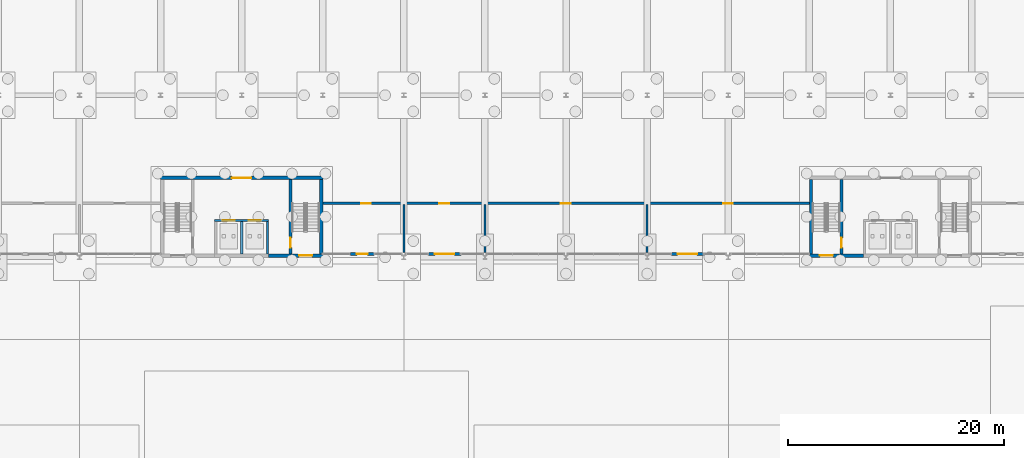
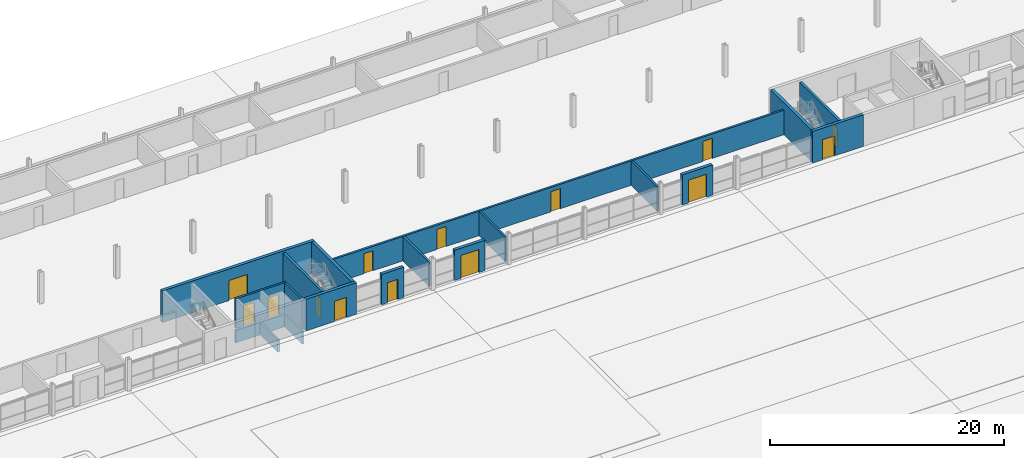
# One storey, part 85 of 130: 19 walls, 14 doors, 14 openings.
"""IFC4 building model written with IfcOpenShell, lengths in metres."""

from ifc_helpers import new_model, si_unit, direction, frame, frame_2d, origin, place, context, subcontext, project, spatial, rectangle, extrude, material, layer, layer_set, type_object, element, fill, save


model = new_model("IFC4")

# Units and contexts
model_context = context("Model", 3, precision=1e-05, world=origin(), true_north=direction((0.0, 1.0)))
body_context = subcontext(model_context, "Body", "Model", "MODEL_VIEW")
ifc_project = project(units=[si_unit("LENGTHUNIT", "METRE"), si_unit("AREAUNIT", "SQUARE_METRE"), si_unit("VOLUMEUNIT", "CUBIC_METRE"), si_unit("PLANEANGLEUNIT", "RADIAN"), si_unit("MASSUNIT", "GRAM", prefix="KILO")], contexts=[model_context])

# Site, building, storey
site_placement = place(None, origin())
site = spatial("IfcSite", under=ifc_project, at=site_placement, CompositionType="ELEMENT")
building_placement = place(site_placement, origin())
building = spatial("IfcBuilding", under=site, at=building_placement, Name="Parallax Yard Mobility Hub", CompositionType="ELEMENT")
storey_placement = place(building_placement, origin())
storey = spatial("IfcBuildingStorey", under=building, at=storey_placement, Name="L00", CompositionType="ELEMENT", Elevation=0.0)

# Wall, opening, door
ifc_material_1 = material(Name="Concrete fc' 35 MPa", Category="concrete")
ifc_layer_1 = layer(ifc_material_1, 0.300048828125)
ifc_layer_set_1 = layer_set([ifc_layer_1], Name="Concrete fc' 35 MPa core wall 300")
wall_type_1 = type_object("IfcWallType", Name="Concrete fc' 35 MPa core wall 300", PredefinedType="SHEAR", material=ifc_layer_set_1)
wall_1_placement = place(storey_placement, frame((67.5, 119.85009765625, 0.0), z_axis=(0.0, 0.0, 1.0), x_axis=(1.0, 0.0, 0.0)))
wall_1 = element("IfcWall", 1, at=wall_1_placement, inside=storey, type_object=wall_type_1, Name="Core C-N1 entry wall level L00", PredefinedType="SHEAR", context=body_context, shape_type="SweptSolid", body=[
    extrude(rectangle(XDim=15.0, YDim=0.300048828125, at=frame_2d((7.5, 0.0))), origin(), (0.0, 0.0, 1.0), 3.300048828125),
])
opening_1_placement = place(wall_1_placement, frame((6.60009765625, 0.0, 0.0)))
opening_1 = element("IfcOpeningElement", 2, at=opening_1_placement, cuts=wall_1, Name="Opening L00-D711", PredefinedType="OPENING", context=body_context, shape_type="SweptSolid", body=[
    extrude(rectangle(XDim=1.800048828125, YDim=2.10009765625, at=frame_2d((0.89990234375, 1.050048828125))), frame((0.0, 0.16015625, 0.0), z_axis=(0.0, -1.0, 0.0), x_axis=(1.0, 0.0, 0.0)), (0.0, 0.0, 1.0), 0.320068359375),
])
ifc_material_2 = material(Name="Hollow metal steel door and frame", Category="steel")
door_type_1 = type_object("IfcDoorType", Name="Core double door 1800 x 2100 FD90", OperationType="NOTDEFINED", PredefinedType="DOOR", material=ifc_material_2)
door_1_placement = place(opening_1_placement, origin())
door_1 = element("IfcDoor", 3, at=door_1_placement, inside=storey, type_object=door_type_1, Name="Lift lobby door L00-D711, core C-N1 level L00", OperationType="DOUBLE_DOOR_SINGLE_SWING", OverallHeight=2.10009765625, OverallWidth=1.800048828125, PredefinedType="DOOR", context=body_context, shape_type="SweptSolid", body=[
    extrude(rectangle(XDim=1.800048828125, YDim=2.10009765625, at=frame_2d((0.89990234375, 1.050048828125))), frame((0.0, 0.02490234375, 0.0), z_axis=(0.0, -1.0, 0.0), x_axis=(1.0, 0.0, 0.0)), (0.0, 0.0, 1.0), 0.050048828125),
])
fill(opening_1, door_1)

wall_2_placement = place(storey_placement, frame((82.5, 112.64990234375, 0.0), z_axis=(0.0, 0.0, 1.0), x_axis=(-1.0, 0.0, 0.0)))
wall_2 = element("IfcWall", 4, at=wall_2_placement, inside=storey, type_object=wall_type_1, Name="Core C-N1 back wall part 1 level L00", PredefinedType="SHEAR", context=body_context, shape_type="SweptSolid", body=[
    extrude(rectangle(XDim=5.0, YDim=0.300048828125, at=frame_2d((2.5, 0.0))), origin(), (0.0, 0.0, 1.0), 3.300048828125),
])
opening_2_placement = place(wall_2_placement, frame((0.97509765625, 0.0, 0.0)))
opening_2 = element("IfcOpeningElement", 5, at=opening_2_placement, cuts=wall_2, Name="Opening L00-D716", PredefinedType="OPENING", context=body_context, shape_type="SweptSolid", body=[
    extrude(rectangle(XDim=1.199951171875, YDim=2.10009765625, at=frame_2d((0.60009765625, 1.050048828125))), frame((0.0, 0.16015625, 0.0), z_axis=(0.0, -1.0, 0.0), x_axis=(1.0, 0.0, 0.0)), (0.0, 0.0, 1.0), 0.320068359375),
])
door_type_2 = type_object("IfcDoorType", Name="Core door 1200 x 2100 FD90", OperationType="NOTDEFINED", PredefinedType="DOOR", material=ifc_material_2)
door_2_placement = place(opening_2_placement, origin())
door_2 = element("IfcDoor", 6, at=door_2_placement, inside=storey, type_object=door_type_2, Name="Stair exit door L00-D716, core C-N1 level L00", OperationType="SINGLE_SWING_LEFT", OverallHeight=2.10009765625, OverallWidth=1.199951171875, PredefinedType="DOOR", context=body_context, shape_type="SweptSolid", body=[
    extrude(rectangle(XDim=1.199951171875, YDim=2.10009765625, at=frame_2d((0.60009765625, 1.050048828125))), frame((0.0, 0.02490234375, 0.0), z_axis=(0.0, -1.0, 0.0), x_axis=(1.0, 0.0, 0.0)), (0.0, 0.0, 1.0), 0.050048828125),
])
fill(opening_2, door_2)

# Wall
wall_3_placement = place(storey_placement, frame((82.35009765625, 119.699951171875, 0.0), z_axis=(0.0, 0.0, 1.0), x_axis=(0.0, -1.0, 0.0)))
element("IfcWall", 7, at=wall_3_placement, inside=storey, type_object=wall_type_1, Name="Core C-N1 west-side end wall level L00", PredefinedType="SHEAR", context=body_context, shape_type="SweptSolid", body=[
    extrude(rectangle(XDim=6.89990234375, YDim=0.300048828125, at=frame_2d((3.449951171875, 0.0))), origin(), (0.0, 0.0, 1.0), 3.300048828125),
])

# Wall, opening, door
wall_4_placement = place(storey_placement, frame((132.5, 112.64990234375, 0.0), z_axis=(0.0, 0.0, 1.0), x_axis=(-1.0, 0.0, 0.0)))
wall_4 = element("IfcWall", 8, at=wall_4_placement, inside=storey, type_object=wall_type_1, Name="Core C-N2 back wall part 3 level L00", PredefinedType="SHEAR", context=body_context, shape_type="SweptSolid", body=[
    extrude(rectangle(XDim=5.0, YDim=0.300048828125, at=frame_2d((2.5, 0.0))), origin(), (0.0, 0.0, 1.0), 3.300048828125),
])
opening_3_placement = place(wall_4_placement, frame((2.824951171875, 0.0, 0.0)))
opening_3 = element("IfcOpeningElement", 9, at=opening_3_placement, cuts=wall_4, Name="Opening L00-D724", PredefinedType="OPENING", context=body_context, shape_type="SweptSolid", body=[
    extrude(rectangle(XDim=1.199951171875, YDim=2.10009765625, at=frame_2d((0.60009765625, 1.050048828125))), frame((0.0, 0.16015625, 0.0), z_axis=(0.0, -1.0, 0.0), x_axis=(1.0, 0.0, 0.0)), (0.0, 0.0, 1.0), 0.320068359375),
])
door_3_placement = place(opening_3_placement, origin())
door_3 = element("IfcDoor", 10, at=door_3_placement, inside=storey, type_object=door_type_2, Name="Stair exit door L00-D724, core C-N2 level L00", OperationType="SINGLE_SWING_RIGHT", OverallHeight=2.10009765625, OverallWidth=1.199951171875, PredefinedType="DOOR", context=body_context, shape_type="SweptSolid", body=[
    extrude(rectangle(XDim=1.199951171875, YDim=2.10009765625, at=frame_2d((0.60009765625, 1.050048828125))), frame((0.0, 0.02490234375, 0.0), z_axis=(0.0, -1.0, 0.0), x_axis=(1.0, 0.0, 0.0)), (0.0, 0.0, 1.0), 0.050048828125),
])
fill(opening_3, door_3)

# Wall
wall_5_placement = place(storey_placement, frame((127.64990234375, 119.699951171875, 0.0), z_axis=(0.0, 0.0, 1.0), x_axis=(0.0, -1.0, 0.0)))
element("IfcWall", 11, at=wall_5_placement, inside=storey, type_object=wall_type_1, Name="Core C-N2 east-side end wall level L00", PredefinedType="SHEAR", context=body_context, shape_type="SweptSolid", body=[
    extrude(rectangle(XDim=6.89990234375, YDim=0.300048828125, at=frame_2d((3.449951171875, 0.0))), origin(), (0.0, 0.0, 1.0), 3.300048828125),
])

# Wall, openings, doors
ifc_layer_2 = layer(ifc_material_1, 0.199951171875)
ifc_layer_set_2 = layer_set([ifc_layer_2], Name="Concrete fc' 35 MPa internal core wall 200")
wall_type_2 = type_object("IfcWallType", Name="Concrete fc' 35 MPa internal core wall 200", PredefinedType="STANDARD", material=ifc_layer_set_2)
wall_6_placement = place(storey_placement, frame((77.5, 115.89990234375, 0.0), z_axis=(0.0, 0.0, 1.0), x_axis=(-1.0, 0.0, 0.0)))
wall_6 = element("IfcWall", 12, at=wall_6_placement, inside=storey, type_object=wall_type_2, Name="Core C-N1 lift front 2 part 2 level L00", PredefinedType="STANDARD", context=body_context, shape_type="SweptSolid", body=[
    extrude(rectangle(XDim=5.0, YDim=0.199951171875, at=frame_2d((2.5, 0.0))), origin(), (0.0, 0.0, 1.0), 3.10009765625),
])
opening_4_placement = place(wall_6_placement, frame((0.75, 0.0, 0.0)))
opening_4 = element("IfcOpeningElement", 13, at=opening_4_placement, cuts=wall_6, Name="Opening L00-D714", PredefinedType="OPENING", context=body_context, shape_type="SweptSolid", body=[
    extrude(rectangle(XDim=1.10009765625, YDim=2.10009765625, at=frame_2d((0.550048828125, 1.050048828125))), frame((0.0, 0.10986328125, 0.0), z_axis=(0.0, -1.0, 0.0), x_axis=(1.0, 0.0, 0.0)), (0.0, 0.0, 1.0), 0.219970703125),
])
opening_5_placement = place(wall_6_placement, frame((3.14990234375, 0.0, 0.0)))
opening_5 = element("IfcOpeningElement", 14, at=opening_5_placement, cuts=wall_6, Name="Opening L00-D715", PredefinedType="OPENING", context=body_context, shape_type="SweptSolid", body=[
    extrude(rectangle(XDim=1.10009765625, YDim=2.10009765625, at=frame_2d((0.550048828125, 1.050048828125))), frame((0.0, 0.10986328125, 0.0), z_axis=(0.0, -1.0, 0.0), x_axis=(1.0, 0.0, 0.0)), (0.0, 0.0, 1.0), 0.219970703125),
])
ifc_material_3 = material(Name="Stainless steel sliding door and frame", Category="steel")
door_type_3 = type_object("IfcDoorType", Name="Lift landing door 1100 x 2100 FD90", OperationType="DOUBLE_DOOR_SLIDING", PredefinedType="DOOR", material=ifc_material_3)
door_4_placement = place(opening_4_placement, origin())
door_4 = element("IfcDoor", 15, at=door_4_placement, inside=storey, type_object=door_type_3, Name="Lift landing door L00-D714, core C-N1 level L00", OperationType="DOUBLE_DOOR_SLIDING", OverallHeight=2.10009765625, OverallWidth=1.10009765625, PredefinedType="DOOR", context=body_context, shape_type="SweptSolid", body=[
    extrude(rectangle(XDim=1.10009765625, YDim=2.10009765625, at=frame_2d((0.550048828125, 1.050048828125))), frame((0.0, 0.02490234375, 0.0), z_axis=(0.0, -1.0, 0.0), x_axis=(1.0, 0.0, 0.0)), (0.0, 0.0, 1.0), 0.050048828125),
])
fill(opening_4, door_4)
door_5_placement = place(opening_5_placement, origin())
door_5 = element("IfcDoor", 16, at=door_5_placement, inside=storey, type_object=door_type_3, Name="Lift landing door L00-D715, core C-N1 level L00", OperationType="DOUBLE_DOOR_SLIDING", OverallHeight=2.10009765625, OverallWidth=1.10009765625, PredefinedType="DOOR", context=body_context, shape_type="SweptSolid", body=[
    extrude(rectangle(XDim=1.10009765625, YDim=2.10009765625, at=frame_2d((0.550048828125, 1.050048828125))), frame((0.0, 0.02490234375, 0.0), z_axis=(0.0, -1.0, 0.0), x_axis=(1.0, 0.0, 0.0)), (0.0, 0.0, 1.0), 0.050048828125),
])
fill(opening_5, door_5)

# Walls
wall_7_placement = place(storey_placement, frame((77.39990234375, 115.800048828125, 0.0), z_axis=(0.0, 0.0, 1.0), x_axis=(0.0, -1.0, 0.0)))
element("IfcWall", 17, at=wall_7_placement, inside=storey, type_object=wall_type_2, Name="Core C-N1 lift wall 1 part 1 level L00", PredefinedType="STANDARD", context=body_context, shape_type="SweptSolid", body=[
    extrude(rectangle(XDim=3.0, YDim=0.199951171875, at=frame_2d((1.5, 0.0))), origin(), (0.0, 0.0, 1.0), 3.10009765625),
])
wall_8_placement = place(storey_placement, frame((77.5, 115.89990234375, -1.5), z_axis=(0.0, 0.0, 1.0), x_axis=(-1.0, 0.0, 0.0)))
element("IfcWall", 18, at=wall_8_placement, inside=storey, type_object=wall_type_2, Name="Core C-N1 lift pit wall front (shaft group 1)", PredefinedType="STANDARD", context=body_context, shape_type="SweptSolid", body=[
    extrude(rectangle(XDim=5.0, YDim=0.199951171875, at=frame_2d((2.5, 0.0))), origin(), (0.0, 0.0, 1.0), 1.300048828125),
])
for number, where, z_axis, x_axis, name in (
    (19, (77.39990234375, 115.800048828125, -1.5), (0.0, 0.0, 1.0), (0.0, -1.0, 0.0), "Core C-N1 lift pit wall side 1 (shaft group 1)"),
    (20, (75.0, 115.800048828125, -1.5), (0.0, 0.0, 1.0), (0.0, -1.0, 0.0), "Core C-N1 lift pit wall side 2 (shaft group 1)"),
):
    element("IfcWall", number, at=place(storey_placement, frame(where, z_axis=z_axis, x_axis=x_axis)), inside=storey, type_object=wall_type_2, Name=name, PredefinedType="STANDARD", context=body_context, shape_type="SweptSolid", body=[
        extrude(rectangle(XDim=3.0, YDim=0.199951171875, at=frame_2d((1.5, 0.0))), origin(), (0.0, 0.0, 1.0), 1.300048828125),
    ])

# Wall, opening, door
ifc_layer_3 = layer(ifc_material_1, 0.25)
ifc_layer_set_3 = layer_set([ifc_layer_3], Name="Concrete fc' 35 MPa stair enclosure wall 250")
wall_type_3 = type_object("IfcWallType", Name="Concrete fc' 35 MPa stair enclosure wall 250", PredefinedType="STANDARD", material=ifc_layer_set_3)
wall_9_placement = place(storey_placement, frame((79.52490234375, 119.699951171875, 0.0), z_axis=(0.0, 0.0, 1.0), x_axis=(0.0, -1.0, 0.0)))
wall_9 = element("IfcWall", 21, at=wall_9_placement, inside=storey, type_object=wall_type_3, Name="Core C-N1 stair 1 partition level L00", PredefinedType="STANDARD", context=body_context, shape_type="SweptSolid", body=[
    extrude(rectangle(XDim=6.89990234375, YDim=0.25, at=frame_2d((3.449951171875, 0.0))), origin(), (0.0, 0.0, 1.0), 3.10009765625),
])
opening_6_placement = place(wall_9_placement, frame((5.39990234375, 0.0, 0.0)))
opening_6 = element("IfcOpeningElement", 22, at=opening_6_placement, cuts=wall_9, Name="Opening L00-D712", PredefinedType="OPENING", context=body_context, shape_type="SweptSolid", body=[
    extrude(rectangle(XDim=0.89990234375, YDim=2.10009765625, at=frame_2d((0.449951171875, 1.050048828125))), frame((0.0, 0.135009765625, 0.0), z_axis=(0.0, -1.0, 0.0), x_axis=(1.0, 0.0, 0.0)), (0.0, 0.0, 1.0), 0.27001953125),
])
door_type_4 = type_object("IfcDoorType", Name="Core door 900 x 2100 FD90", OperationType="NOTDEFINED", PredefinedType="DOOR", material=ifc_material_2)
door_6_placement = place(opening_6_placement, origin())
door_6 = element("IfcDoor", 23, at=door_6_placement, inside=storey, type_object=door_type_4, Name="Stair lobby door L00-D712, core C-N1 level L00", OperationType="SINGLE_SWING_LEFT", OverallHeight=2.10009765625, OverallWidth=0.89990234375, PredefinedType="DOOR", context=body_context, shape_type="SweptSolid", body=[
    extrude(rectangle(XDim=0.89990234375, YDim=2.10009765625, at=frame_2d((0.449951171875, 1.050048828125))), frame((0.0, 0.02490234375, 0.0), z_axis=(0.0, -1.0, 0.0), x_axis=(1.0, 0.0, 0.0)), (0.0, 0.0, 1.0), 0.050048828125),
])
fill(opening_6, door_6)

wall_10_placement = place(storey_placement, frame((130.47509765625, 112.800048828125, 0.0), z_axis=(0.0, 0.0, 1.0), x_axis=(0.0, 1.0, 0.0)))
wall_10 = element("IfcWall", 24, at=wall_10_placement, inside=storey, type_object=wall_type_3, Name="Core C-N2 stair 2 partition level L00", PredefinedType="STANDARD", context=body_context, shape_type="SweptSolid", body=[
    extrude(rectangle(XDim=6.89990234375, YDim=0.25, at=frame_2d((3.449951171875, 0.0))), origin(), (0.0, 0.0, 1.0), 3.10009765625),
])
opening_7_placement = place(wall_10_placement, frame((0.60009765625, 0.0, 0.0)))
opening_7 = element("IfcOpeningElement", 25, at=opening_7_placement, cuts=wall_10, Name="Opening L00-D720", PredefinedType="OPENING", context=body_context, shape_type="SweptSolid", body=[
    extrude(rectangle(XDim=0.89990234375, YDim=2.10009765625, at=frame_2d((0.449951171875, 1.050048828125))), frame((0.0, 0.135009765625, 0.0), z_axis=(0.0, -1.0, 0.0), x_axis=(1.0, 0.0, 0.0)), (0.0, 0.0, 1.0), 0.27001953125),
])
door_7_placement = place(opening_7_placement, origin())
door_7 = element("IfcDoor", 26, at=door_7_placement, inside=storey, type_object=door_type_4, Name="Stair lobby door L00-D720, core C-N2 level L00", OperationType="SINGLE_SWING_RIGHT", OverallHeight=2.10009765625, OverallWidth=0.89990234375, PredefinedType="DOOR", context=body_context, shape_type="SweptSolid", body=[
    extrude(rectangle(XDim=0.89990234375, YDim=2.10009765625, at=frame_2d((0.449951171875, 1.050048828125))), frame((0.0, 0.02490234375, 0.0), z_axis=(0.0, -1.0, 0.0), x_axis=(1.0, 0.0, 0.0)), (0.0, 0.0, 1.0), 0.050048828125),
])
fill(opening_7, door_7)

ifc_layer_4 = layer(ifc_material_1, 0.300048828125)
ifc_layer_set_4 = layer_set([ifc_layer_4], Name="Entrance portal wall, Concrete fc' 35 MPa precast, 300")
wall_type_4 = type_object("IfcWallType", Name="Entrance portal wall, Concrete fc' 35 MPa precast, 300", PredefinedType="SOLIDWALL", material=ifc_layer_set_4)
wall_11_placement = place(storey_placement, frame((85.053955078125, 112.800048828125, 0.0), z_axis=(0.0, 0.0, 1.0), x_axis=(1.0, 0.0, 0.0)))
wall_11 = element("IfcWall", 27, at=wall_11_placement, inside=storey, type_object=wall_type_4, Name="Staff entrance portal wall bay 7 level L00", PredefinedType="SOLIDWALL", context=body_context, shape_type="SweptSolid", body=[
    extrude(rectangle(XDim=2.199951171875, YDim=0.300048828125, at=frame_2d((1.10009765625, 0.0))), origin(), (0.0, 0.0, 1.0), 3.159912109375),
])
opening_8_placement = place(wall_11_placement, frame((0.60009765625, 0.0, 0.0)))
opening_8 = element("IfcOpeningElement", 28, at=opening_8_placement, cuts=wall_11, Name="Opening L00-D004", PredefinedType="OPENING", context=body_context, shape_type="SweptSolid", body=[
    extrude(rectangle(XDim=1.0, YDim=2.10009765625, at=frame_2d((0.5, 1.050048828125))), frame((0.0, 0.16015625, 0.0), z_axis=(0.0, -1.0, 0.0), x_axis=(1.0, 0.0, 0.0)), (0.0, 0.0, 1.0), 0.320068359375),
])
ifc_material_4 = material(Name="Aluminium framed glazed door", Category="aluminium")
door_type_5 = type_object("IfcDoorType", Name="Staff entrance door, single leaf 1000 x 2100", OperationType="NOTDEFINED", PredefinedType="DOOR", material=ifc_material_4)
door_8_placement = place(opening_8_placement, origin())
door_8 = element("IfcDoor", 29, at=door_8_placement, inside=storey, type_object=door_type_5, Name="Staff entrance door L00-D004", OperationType="SINGLE_SWING_RIGHT", OverallHeight=2.10009765625, OverallWidth=1.0, PredefinedType="DOOR", context=body_context, shape_type="SweptSolid", body=[
    extrude(rectangle(XDim=1.0, YDim=2.10009765625, at=frame_2d((0.5, 1.050048828125))), frame((0.0, 0.02490234375, 0.0), z_axis=(0.0, -1.0, 0.0), x_axis=(1.0, 0.0, 0.0)), (0.0, 0.0, 1.0), 0.050048828125),
])
fill(opening_8, door_8)

wall_12_placement = place(storey_placement, frame((92.271728515625, 112.800048828125, 0.0), z_axis=(0.0, 0.0, 1.0), x_axis=(1.0, 0.0, 0.0)))
wall_12 = element("IfcWall", 30, at=wall_12_placement, inside=storey, type_object=wall_type_4, Name="Entrance portal wall bay 8 level L00", PredefinedType="SOLIDWALL", context=body_context, shape_type="SweptSolid", body=[
    extrude(rectangle(XDim=3.0, YDim=0.300048828125, at=frame_2d((1.5, 0.0))), origin(), (0.0, 0.0, 1.0), 3.159912109375),
])
opening_9_placement = place(wall_12_placement, frame((0.60009765625, 0.0, 0.0)))
opening_9 = element("IfcOpeningElement", 31, at=opening_9_placement, cuts=wall_12, Name="Opening L00-D005", PredefinedType="OPENING", context=body_context, shape_type="SweptSolid", body=[
    extrude(rectangle(XDim=1.800048828125, YDim=2.39990234375, at=frame_2d((0.89990234375, 1.199951171875))), frame((0.0, 0.16015625, 0.0), z_axis=(0.0, -1.0, 0.0), x_axis=(1.0, 0.0, 0.0)), (0.0, 0.0, 1.0), 0.320068359375),
])
door_type_6 = type_object("IfcDoorType", Name="Entrance door, automatic sliding, double leaf 1800 x 2400", OperationType="DOUBLE_DOOR_SLIDING", PredefinedType="DOOR", material=ifc_material_4)
door_9_placement = place(opening_9_placement, origin())
door_9 = element("IfcDoor", 32, at=door_9_placement, inside=storey, type_object=door_type_6, Name="Entrance door L00-D005", OperationType="DOUBLE_DOOR_SLIDING", OverallHeight=2.39990234375, OverallWidth=1.800048828125, PredefinedType="DOOR", context=body_context, shape_type="SweptSolid", body=[
    extrude(rectangle(XDim=1.800048828125, YDim=2.39990234375, at=frame_2d((0.89990234375, 1.199951171875))), frame((0.0, 0.02490234375, 0.0), z_axis=(0.0, -1.0, 0.0), x_axis=(1.0, 0.0, 0.0)), (0.0, 0.0, 1.0), 0.050048828125),
])
fill(opening_9, door_9)

wall_13_placement = place(storey_placement, frame((114.728271484375, 112.800048828125, 0.0), z_axis=(0.0, 0.0, 1.0), x_axis=(1.0, 0.0, 0.0)))
wall_13 = element("IfcWall", 33, at=wall_13_placement, inside=storey, type_object=wall_type_4, Name="Entrance portal wall bay 11 level L00", PredefinedType="SOLIDWALL", context=body_context, shape_type="SweptSolid", body=[
    extrude(rectangle(XDim=3.0, YDim=0.300048828125, at=frame_2d((1.5, 0.0))), origin(), (0.0, 0.0, 1.0), 3.159912109375),
])
opening_10_placement = place(wall_13_placement, frame((0.60009765625, 0.0, 0.0)))
opening_10 = element("IfcOpeningElement", 34, at=opening_10_placement, cuts=wall_13, Name="Opening L00-D006", PredefinedType="OPENING", context=body_context, shape_type="SweptSolid", body=[
    extrude(rectangle(XDim=1.800048828125, YDim=2.39990234375, at=frame_2d((0.89990234375, 1.199951171875))), frame((0.0, 0.16015625, 0.0), z_axis=(0.0, -1.0, 0.0), x_axis=(1.0, 0.0, 0.0)), (0.0, 0.0, 1.0), 0.320068359375),
])
door_type_7 = type_object("IfcDoorType", Name="Entrance door, double leaf swing 1800 x 2400", OperationType="DOUBLE_DOOR_DOUBLE_SWING", PredefinedType="DOOR", material=ifc_material_4)
door_10_placement = place(opening_10_placement, origin())
door_10 = element("IfcDoor", 35, at=door_10_placement, inside=storey, type_object=door_type_7, Name="Entrance door L00-D006", OperationType="DOUBLE_DOOR_DOUBLE_SWING", OverallHeight=2.39990234375, OverallWidth=1.800048828125, PredefinedType="DOOR", context=body_context, shape_type="SweptSolid", body=[
    extrude(rectangle(XDim=1.800048828125, YDim=2.39990234375, at=frame_2d((0.89990234375, 1.199951171875))), frame((0.0, 0.02490234375, 0.0), z_axis=(0.0, -1.0, 0.0), x_axis=(1.0, 0.0, 0.0)), (0.0, 0.0, 1.0), 0.050048828125),
])
fill(opening_10, door_10)

# Wall, openings, doors
ifc_material_5 = material(Name="Fire-rated plasterboard partition, two layers each side")
ifc_layer_5 = layer(ifc_material_5, 0.199951171875)
ifc_layer_set_5 = layer_set([ifc_layer_5], Name="Fire-rated partition 200 mm")
wall_type_5 = type_object("IfcWallType", Name="Fire-rated partition 200 mm", PredefinedType="PARTITIONING", material=ifc_layer_set_5)
wall_14_placement = place(storey_placement, frame((82.5, 117.5, 0.0), z_axis=(0.0, 0.0, 1.0), x_axis=(1.0, 0.0, 0.0)))
wall_14 = element("IfcWall", 36, at=wall_14_placement, inside=storey, type_object=wall_type_5, Name="Partition 42 level L00", PredefinedType="PARTITIONING", context=body_context, shape_type="SweptSolid", body=[
    extrude(rectangle(XDim=45.0, YDim=0.199951171875, at=frame_2d((22.5, 0.0))), origin(), (0.0, 0.0, 1.0), 2.548095703125),
])
opening_11_placement = place(wall_14_placement, frame((3.550048828125, 0.0, 0.0)))
opening_11 = element("IfcOpeningElement", 37, at=opening_11_placement, cuts=wall_14, Name="Opening L00-D243", PredefinedType="OPENING", context=body_context, shape_type="SweptSolid", body=[
    extrude(rectangle(XDim=0.89990234375, YDim=2.10009765625, at=frame_2d((0.449951171875, 1.050048828125))), frame((0.0, 0.10986328125, 0.0), z_axis=(0.0, -1.0, 0.0), x_axis=(1.0, 0.0, 0.0)), (0.0, 0.0, 1.0), 0.219970703125),
])
opening_12_placement = place(wall_14_placement, frame((10.775146484375, 0.0, 0.0)))
opening_12 = element("IfcOpeningElement", 38, at=opening_12_placement, cuts=wall_14, Name="Opening L00-D244", PredefinedType="OPENING", context=body_context, shape_type="SweptSolid", body=[
    extrude(rectangle(XDim=0.89990234375, YDim=2.10009765625, at=frame_2d((0.449951171875, 1.050048828125))), frame((0.0, 0.10986328125, 0.0), z_axis=(0.0, -1.0, 0.0), x_axis=(1.0, 0.0, 0.0)), (0.0, 0.0, 1.0), 0.219970703125),
])
opening_13_placement = place(wall_14_placement, frame((22.025146484375, 0.0, 0.0)))
opening_13 = element("IfcOpeningElement", 39, at=opening_13_placement, cuts=wall_14, Name="Opening L00-D245", PredefinedType="OPENING", context=body_context, shape_type="SweptSolid", body=[
    extrude(rectangle(XDim=0.89990234375, YDim=2.10009765625, at=frame_2d((0.449951171875, 1.050048828125))), frame((0.0, 0.10986328125, 0.0), z_axis=(0.0, -1.0, 0.0), x_axis=(1.0, 0.0, 0.0)), (0.0, 0.0, 1.0), 0.219970703125),
])
opening_14_placement = place(wall_14_placement, frame((37.025146484375, 0.0, 0.0)))
opening_14 = element("IfcOpeningElement", 40, at=opening_14_placement, cuts=wall_14, Name="Opening L00-D246", PredefinedType="OPENING", context=body_context, shape_type="SweptSolid", body=[
    extrude(rectangle(XDim=0.89990234375, YDim=2.10009765625, at=frame_2d((0.449951171875, 1.050048828125))), frame((0.0, 0.10986328125, 0.0), z_axis=(0.0, -1.0, 0.0), x_axis=(1.0, 0.0, 0.0)), (0.0, 0.0, 1.0), 0.219970703125),
])
ifc_material_6 = material(Name="Hollow metal fire door leaf with intumescent seals")
door_type_8 = type_object("IfcDoorType", Name="Fire door 900 mm FD60", OperationType="NOTDEFINED", PredefinedType="DOOR", material=ifc_material_6)
door_11_placement = place(opening_11_placement, origin())
door_11 = element("IfcDoor", 41, at=door_11_placement, inside=storey, type_object=door_type_8, Name="Door L00-D243 East Yard Entrance Lobby", OperationType="SINGLE_SWING_LEFT", OverallHeight=2.10009765625, OverallWidth=0.89990234375, PredefinedType="DOOR", context=body_context, shape_type="SweptSolid", body=[
    extrude(rectangle(XDim=0.89990234375, YDim=2.10009765625, at=frame_2d((0.449951171875, 1.050048828125))), frame((0.0, 0.02490234375, 0.0), z_axis=(0.0, -1.0, 0.0), x_axis=(1.0, 0.0, 0.0)), (0.0, 0.0, 1.0), 0.050048828125),
])
fill(opening_11, door_11)
door_12_placement = place(opening_12_placement, origin())
door_12 = element("IfcDoor", 42, at=door_12_placement, inside=storey, type_object=door_type_8, Name="Door L00-D244 Security Control Room", OperationType="SINGLE_SWING_LEFT", OverallHeight=2.10009765625, OverallWidth=0.89990234375, PredefinedType="DOOR", context=body_context, shape_type="SweptSolid", body=[
    extrude(rectangle(XDim=0.89990234375, YDim=2.10009765625, at=frame_2d((0.449951171875, 1.050048828125))), frame((0.0, 0.02490234375, 0.0), z_axis=(0.0, -1.0, 0.0), x_axis=(1.0, 0.0, 0.0)), (0.0, 0.0, 1.0), 0.050048828125),
])
fill(opening_12, door_12)
door_13_placement = place(opening_13_placement, origin())
door_13 = element("IfcDoor", 43, at=door_13_placement, inside=storey, type_object=door_type_8, Name="Door L00-D245 EV Charging Customer Lounge", OperationType="SINGLE_SWING_LEFT", OverallHeight=2.10009765625, OverallWidth=0.89990234375, PredefinedType="DOOR", context=body_context, shape_type="SweptSolid", body=[
    extrude(rectangle(XDim=0.89990234375, YDim=2.10009765625, at=frame_2d((0.449951171875, 1.050048828125))), frame((0.0, 0.02490234375, 0.0), z_axis=(0.0, -1.0, 0.0), x_axis=(1.0, 0.0, 0.0)), (0.0, 0.0, 1.0), 0.050048828125),
])
fill(opening_13, door_13)
door_14_placement = place(opening_14_placement, origin())
door_14 = element("IfcDoor", 44, at=door_14_placement, inside=storey, type_object=door_type_8, Name="Door L00-D246 Mobility Cafe", OperationType="SINGLE_SWING_RIGHT", OverallHeight=2.10009765625, OverallWidth=0.89990234375, PredefinedType="DOOR", context=body_context, shape_type="SweptSolid", body=[
    extrude(rectangle(XDim=0.89990234375, YDim=2.10009765625, at=frame_2d((0.449951171875, 1.050048828125))), frame((0.0, 0.02490234375, 0.0), z_axis=(0.0, -1.0, 0.0), x_axis=(1.0, 0.0, 0.0)), (0.0, 0.0, 1.0), 0.050048828125),
])
fill(opening_14, door_14)

# Walls
for number, where, z_axis, x_axis, name in (
    (45, (90.0, 112.949951171875, 0.0), (0.0, 0.0, 1.0), (0.0, 1.0, 0.0), "Partition 86 level L00"),
    (46, (97.5, 112.949951171875, 0.0), (0.0, 0.0, 1.0), (0.0, 1.0, 0.0), "Partition 87 level L00"),
    (47, (112.5, 112.949951171875, 0.0), (0.0, 0.0, 1.0), (0.0, 1.0, 0.0), "Partition 94 level L00"),
):
    element("IfcWall", number, at=place(storey_placement, frame(where, z_axis=z_axis, x_axis=x_axis)), inside=storey, type_object=wall_type_5, Name=name, PredefinedType="PARTITIONING", context=body_context, shape_type="SweptSolid", body=[
        extrude(rectangle(XDim=4.449951171875, YDim=0.199951171875, at=frame_2d((2.22509765625, 0.0))), origin(), (0.0, 0.0, 1.0), 2.548095703125),
    ])

save(model, "model.ifc")
